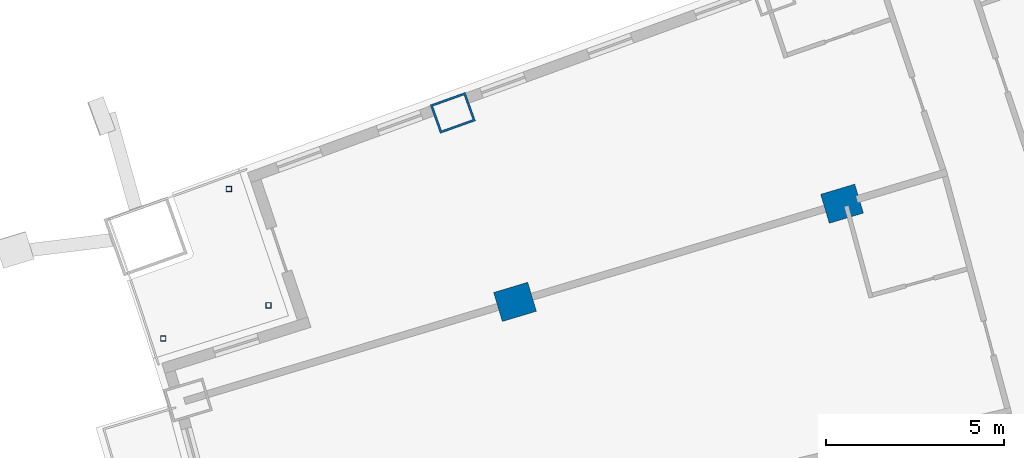
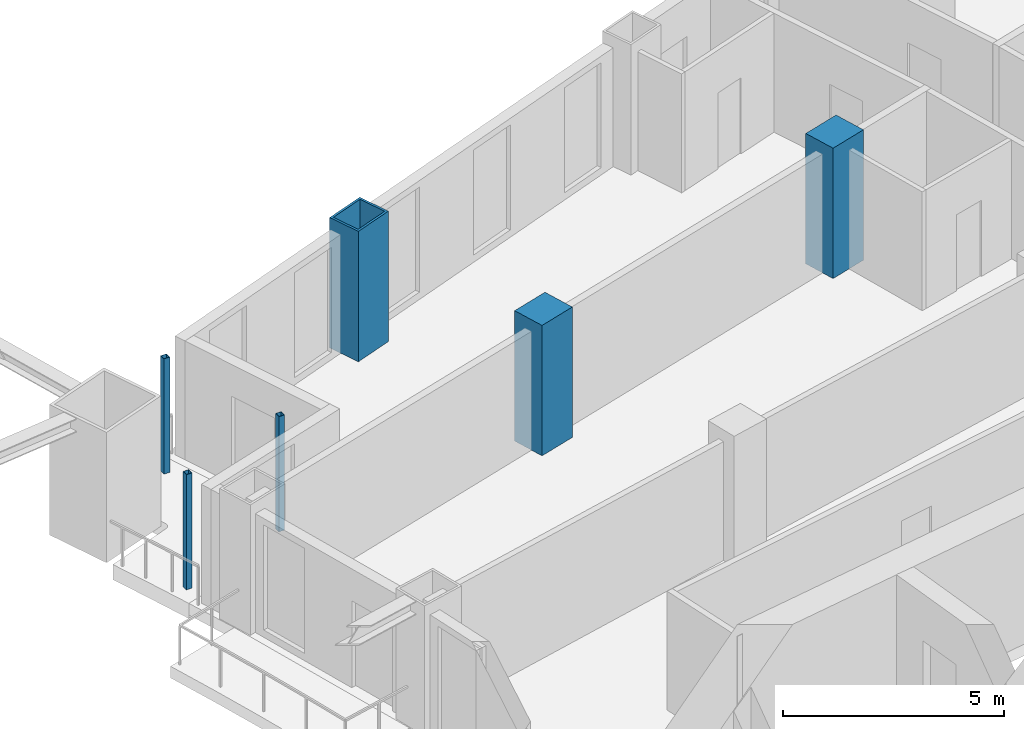
# One storey, part 6 of 23: 6 columns.
"""IFC4 building model written with IfcOpenShell, lengths in metres."""

from ifc_helpers import new_model, si_unit, direction, frame, origin, origin_2d, place, context, subcontext, project, spatial, rectangle, hollow_rectangle, extrude, material, material_profile, profile_set, type_object, element, save


model = new_model("IFC4")

# Units and contexts
model_context = context("Model", 3, precision=1e-05, world=origin(), true_north=direction((0.0, 1.0)))
body_context = subcontext(model_context, "Body", "Model", "MODEL_VIEW")
ifc_project = project(units=[si_unit("LENGTHUNIT", "METRE"), si_unit("AREAUNIT", "SQUARE_METRE"), si_unit("VOLUMEUNIT", "CUBIC_METRE"), si_unit("PLANEANGLEUNIT", "RADIAN"), si_unit("MASSUNIT", "GRAM", prefix="KILO")], contexts=[model_context])

# Site, building, storey
site_placement = place(None, origin())
site = spatial("IfcSite", under=ifc_project, at=site_placement, CompositionType="ELEMENT")
building_placement = place(site_placement, origin())
building = spatial("IfcBuilding", under=site, at=building_placement, Name="Alderwake Tower", CompositionType="ELEMENT")
storey_placement = place(building_placement, frame((0.0, 0.0, 100.39990234375)))
storey = spatial("IfcBuildingStorey", under=building, at=storey_placement, Name="L24", CompositionType="ELEMENT", Elevation=100.39990234375)

# Columns
ifc_material_1 = material(Name="Steel ASTM A572 Grade 50 concrete filled C70/85", Category="concrete")
ifc_material_profile_1 = material_profile(ifc_material_1, hollow_rectangle(XDim=0.85009765625, YDim=1.050048828125, WallThickness=0.06005859375, at=origin_2d()), Name="BOX 1050X850X60")
ifc_profile_set_1 = profile_set([ifc_material_profile_1], Name="Steel ASTM A572 Grade 50 concrete filled C70/85")
column_type_1 = type_object("IfcColumnType", Name="End column Z2", PredefinedType="COLUMN", material=ifc_profile_set_1)
column_placement = place(storey_placement, frame((19.965576171875, 96.8515625, 0.0), z_axis=(0.0, 0.0, 1.0), x_axis=(-0.337584879279, 0.9412950915, 0.0)))
element("IfcColumn", 1, at=column_placement, inside=storey, type_object=column_type_1, Name="Column R13-C1", PredefinedType="COLUMN", context=body_context, shape_type="SweptSolid", body=[
    extrude(hollow_rectangle(XDim=0.85009765625, YDim=1.050048828125, WallThickness=0.06005859375, at=origin_2d()), origin(), (0.0, 0.0, 1.0), 3.60009765625),
])
ifc_material_2 = material(Name="Concrete C70/85", Category="concrete")
ifc_material_profile_2 = material_profile(ifc_material_2, rectangle(XDim=0.85009765625, YDim=1.0, at=origin_2d()), Name="RC 1000X850")
ifc_profile_set_2 = profile_set([ifc_material_profile_2], Name="Concrete C70/85")
column_type_2 = type_object("IfcColumnType", Name="Interior column Z2", PredefinedType="COLUMN", material=ifc_profile_set_2)
for number, where, z_axis, x_axis, name in (
    (2, (21.714599609375, 91.53759765625, 0.0), (0.0, 0.0, 1.0), (-0.287549418125, 0.957765802342, 0.0), "Column R12-C1"),
    (3, (30.9091796875, 94.298095703125, 0.0), (0.0, 0.0, 1.0), (-0.287549418125, 0.957765802342, 0.0), "Column R12-C2"),
):
    element("IfcColumn", number, at=place(storey_placement, frame(where, z_axis=z_axis, x_axis=x_axis)), inside=storey, type_object=column_type_2, Name=name, PredefinedType="COLUMN", context=body_context, shape_type="SweptSolid", body=[
        extrude(rectangle(XDim=0.85009765625, YDim=1.0, at=origin_2d()), origin(), (0.0, 0.0, 1.0), 3.60009765625),
    ])
ifc_material_3 = material(Name="Steel ASTM A500 Grade C", Category="steel")
ifc_material_profile_3 = material_profile(ifc_material_3, hollow_rectangle(XDim=0.15234375, YDim=0.15234375, WallThickness=0.0087890625, at=origin_2d()), Name="HSS6X6X3/8")
ifc_profile_set_3 = profile_set([ifc_material_profile_3], Name="Steel ASTM A500 Grade C")
column_type_3 = type_object("IfcColumnType", Name="Light post HSS6X6X3/8", PredefinedType="COLUMN", material=ifc_profile_set_3)
for number, where, z_axis, x_axis, name in (
    (4, (11.82568359375, 90.507080078125, 0.0), (0.0, 0.0, 1.0), (1.0, 0.0, 0.0), "Terrace post RN1"),
    (5, (13.66796875, 94.71240234375, 0.0), (0.0, 0.0, 1.0), (1.0, 0.0, 0.0), "Terrace post RN2"),
    (6, (14.781494140625, 91.441650390625, 0.0), (0.0, 0.0, 1.0), (1.0, 0.0, 0.0), "Terrace post RN3"),
):
    element("IfcColumn", number, at=place(storey_placement, frame(where, z_axis=z_axis, x_axis=x_axis)), inside=storey, type_object=column_type_3, Name=name, PredefinedType="COLUMN", context=body_context, shape_type="SweptSolid", body=[
        extrude(hollow_rectangle(XDim=0.15234375, YDim=0.15234375, WallThickness=0.0087890625, at=origin_2d()), origin(), (0.0, 0.0, 1.0), 3.18017578125),
    ])

save(model, "model.ifc")
